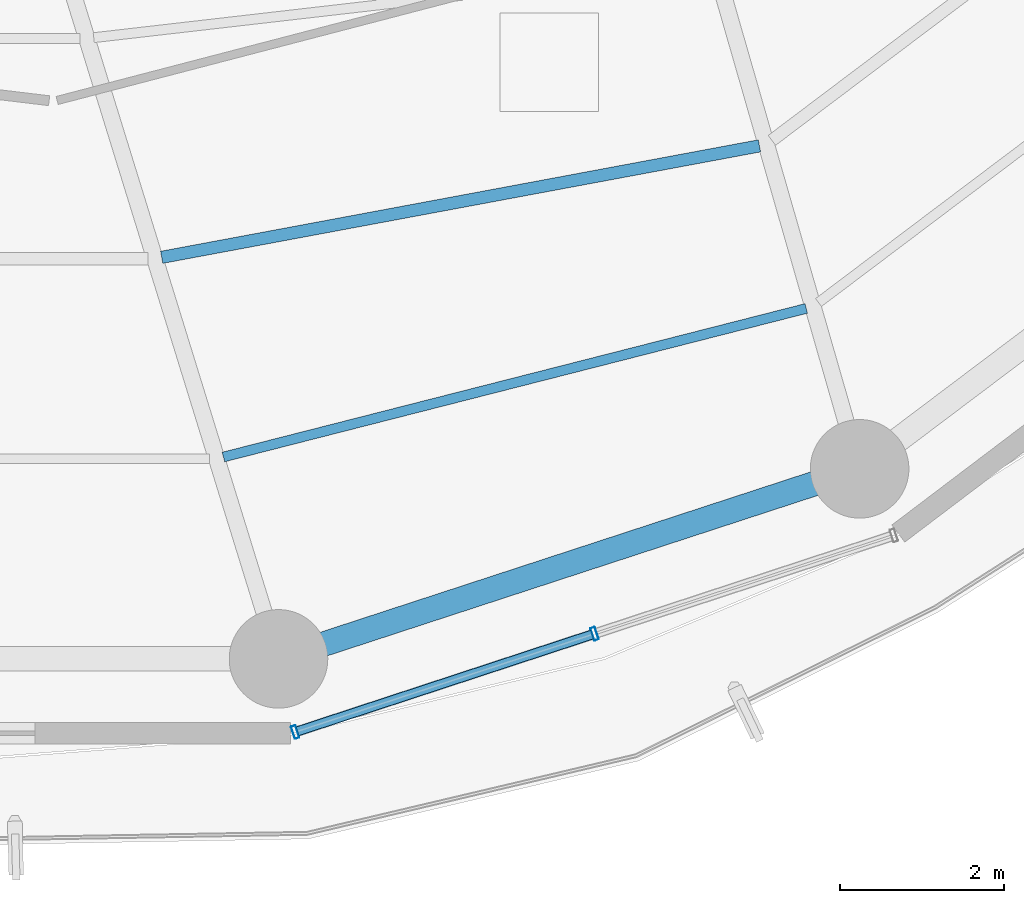
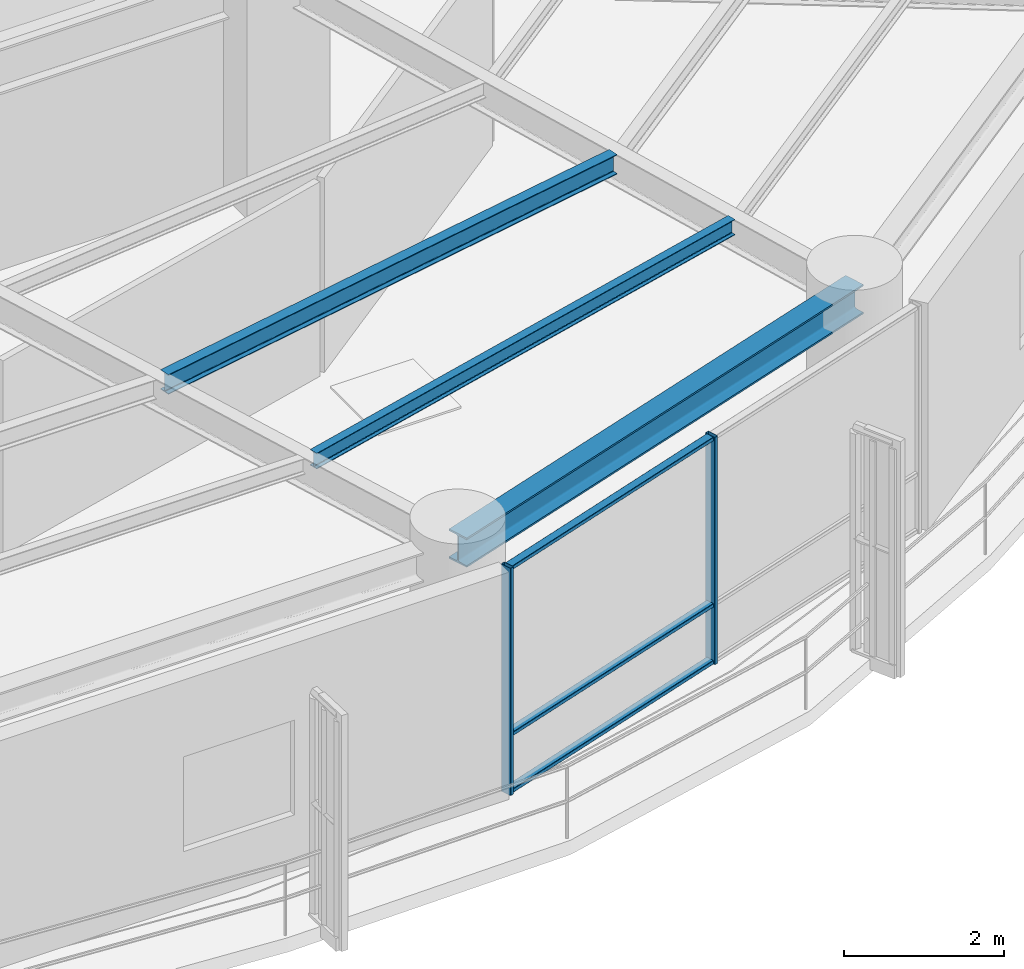
# One storey, part 4 of 27: 5 members, 3 beams, 1 element without a shape of its own.
"""IFC4 building model written with IfcOpenShell, lengths in metres."""

import ifcopenshell
import ifcopenshell.guid

model = None  # the IFC model being written
_history = None  # IfcOwnerHistory: only IFC2X3 demands one
_inside = {}  # id of a spatial element -> (the spatial element, [elements in it])
_under = {}  # id of a project, library or spatial element -> (it, [spatial elements below it])
_declared = {}  # id of a project -> (the project, [libraries it declares])
_typed = {}  # id of a type object -> (the type object, [elements of that type])
_made_of = {}  # id of a material, layer set ... -> (it, [elements and type objects made of it])


def new_model(schema):
    """Start an empty IFC model of exactly this schema.

    Asked for "IFC4X3", IfcOpenShell would pick the latest addendum, in which some entities
    have other attributes; the version numbers below select the first issue.
    IFC2X3 requires an IfcOwnerHistory on every rooted entity: one is made here for all.
    """
    global model, _history
    if schema == "IFC4X3":
        model = ifcopenshell.file(schema_version=(4, 3, 0, 0))
    else:
        model = ifcopenshell.file(schema=schema)
    _inside.clear()
    _under.clear()
    _declared.clear()
    _typed.clear()
    _made_of.clear()
    _history = None
    if model.schema == "IFC2X3":
        org = make("IfcOrganization", Name="unknown")
        user = make(
            "IfcPersonAndOrganization",
            ThePerson=make("IfcPerson", FamilyName="unknown"),
            TheOrganization=org,
        )
        app = make(
            "IfcApplication",
            ApplicationDeveloper=org,
            Version="unknown",
            ApplicationFullName="unknown",
            ApplicationIdentifier="unknown",
        )
        _history = make(
            "IfcOwnerHistory",
            OwningUser=user,
            OwningApplication=app,
            ChangeAction="ADDED",
            CreationDate=0,
        )
    return model


def make(cls, **values):
    """One entity of the class cls with the attributes given. An attribute that is None is left unset."""
    return model.create_entity(
        cls, **{name: value for name, value in values.items() if value is not None}
    )


def rooted(cls, **values):
    """An entity with a GlobalId (a new one), such as an element, a storey or a relation."""
    return make(cls, GlobalId=ifcopenshell.guid.new(), OwnerHistory=_history, **values)


def si_unit(unit_type, name, prefix=None):
    """IfcSIUnit, for example si_unit("LENGTHUNIT", "METRE", prefix="MILLI")."""
    return make("IfcSIUnit", UnitType=unit_type, Prefix=prefix, Name=name)


def assignment(units):
    """IfcUnitAssignment: the units of a project."""
    return None if units is None else make("IfcUnitAssignment", Units=units)


def point(xyz):
    """IfcCartesianPoint."""
    return None if xyz is None else make("IfcCartesianPoint", Coordinates=xyz)


def direction(xyz):
    """IfcDirection."""
    return None if xyz is None else make("IfcDirection", DirectionRatios=xyz)


def frame(location, z_axis=None, x_axis=None):
    """IfcAxis2Placement3D, a coordinate frame: its origin and axes. An axis left out is left unset."""
    return make(
        "IfcAxis2Placement3D",
        Location=point(location),
        Axis=direction(z_axis),
        RefDirection=direction(x_axis),
    )


def frame_2d(location, x_axis=None):
    """IfcAxis2Placement2D, a coordinate frame in the plane: its origin and x axis."""
    return make(
        "IfcAxis2Placement2D", Location=point(location), RefDirection=direction(x_axis)
    )


def origin():
    """The frame at (0, 0, 0) with its axes left unset."""
    return frame((0.0, 0.0, 0.0))


def origin_2d():
    """The frame at (0, 0) in the plane with its x axis left unset."""
    return frame_2d((0.0, 0.0))


def place(relative_to, where):
    """IfcLocalPlacement: puts the frame where relative to a parent placement (None: the world)."""
    return make(
        "IfcLocalPlacement", PlacementRelTo=relative_to, RelativePlacement=where
    )


def context(
    kind, dimensions, precision=None, world=None, true_north=None, identifier=None
):
    """IfcGeometricRepresentationContext, for example the 3D "Model" context."""
    return make(
        "IfcGeometricRepresentationContext",
        ContextIdentifier=identifier,
        ContextType=kind,
        CoordinateSpaceDimension=dimensions,
        Precision=precision,
        WorldCoordinateSystem=world,
        TrueNorth=true_north,
    )


def subcontext(parent, identifier, kind, view, scale=None):
    """IfcGeometricRepresentationSubContext, for example "Body" below "Model"."""
    return make(
        "IfcGeometricRepresentationSubContext",
        ContextIdentifier=identifier,
        ContextType=kind,
        ParentContext=parent,
        TargetScale=scale,
        TargetView=view,
    )


def project(units=None, contexts=None):
    """IfcProject with its units and contexts."""
    return rooted(
        "IfcProject",
        Name="project",
        RepresentationContexts=contexts,
        UnitsInContext=assignment(units),
    )


def spatial(cls, under=None, at=None, **own):
    """A site, building, storey or space (cls), placed at a placement, below another one or the project."""
    s = rooted(cls, ObjectPlacement=at, **own)
    if under is not None:
        _under.setdefault(under.id(), (under, []))[1].append(s)
    return s


def profile(cls, at=None, kind="AREA", **sizes):
    """A parametric profile (cls). Its sizes go by their IFC names, for example OverallWidth=200.0."""
    return make(cls, ProfileType=kind, Position=at, **sizes)


def hollow_rectangle(**sizes):
    """IfcRectangleHollowProfileDef."""
    return profile("IfcRectangleHollowProfileDef", **sizes)


def i_section(**sizes):
    """IfcIShapeProfileDef."""
    return profile("IfcIShapeProfileDef", **sizes)


def extrude(swept, where, along, depth):
    """IfcExtrudedAreaSolid: the profile swept, set in the frame where, extruded along a direction by depth."""
    return make(
        "IfcExtrudedAreaSolid",
        SweptArea=swept,
        Position=where,
        ExtrudedDirection=direction(along),
        Depth=depth,
    )


def shape(context_of_items, identifier, shape_type, items):
    """IfcShapeRepresentation: the items that make up one representation, for example the "Body"."""
    return make(
        "IfcShapeRepresentation",
        ContextOfItems=context_of_items,
        RepresentationIdentifier=identifier,
        RepresentationType=shape_type,
        Items=items,
    )


def material(Name=None, Category=None):
    """IfcMaterial."""
    return make("IfcMaterial", Name=Name, Category=Category)


def layer(
    of_material, thickness, ventilated=None, Name=None, Category=None, Priority=None
):
    """IfcMaterialLayer: one layer of a wall or slab, of a material (None: an air gap)."""
    return make(
        "IfcMaterialLayer",
        Material=of_material,
        LayerThickness=thickness,
        IsVentilated=ventilated,
        Name=Name,
        Category=Category,
        Priority=Priority,
    )


def layer_set(layers, Name=None):
    """IfcMaterialLayerSet."""
    return make("IfcMaterialLayerSet", MaterialLayers=layers, LayerSetName=Name)


def material_profile(
    of_material, cross_section, Name=None, Category=None, Priority=None
):
    """IfcMaterialProfile: a cross section and its material."""
    return make(
        "IfcMaterialProfile",
        Name=Name,
        Material=of_material,
        Profile=cross_section,
        Priority=Priority,
        Category=Category,
    )


def profile_set(profiles, Name=None, composite=None):
    """IfcMaterialProfileSet."""
    return make(
        "IfcMaterialProfileSet",
        Name=Name,
        MaterialProfiles=profiles,
        CompositeProfile=composite,
    )


def made_of(thing, what):
    """Note that an element or type object is made of a material, layer set ...; save() writes the relation."""
    if what is not None:
        _made_of.setdefault(what.id(), (what, []))[1].append(thing)
    return thing


def type_object(cls, material=None, **own):
    """A type object (cls), such as IfcWallType, which elements share."""
    return made_of(rooted(cls, **own), material)


def element(
    cls,
    number,
    at=None,
    inside=None,
    cuts=None,
    type_object=None,
    material=None,
    context=None,
    identifier="Body",
    shape_type=None,
    held_by="IfcProductDefinitionShape",
    body=None,
    shapes=None,
    **own,
):
    """One element of the class cls, such as IfcWall. Its Tag is "e" and its number.

    at: its placement. inside: the storey or other place that contains it. cuts: it is an
    opening in that element (IfcRelVoidsElement). A single representation is given by context,
    identifier, shape_type and body (its items); several are given by shapes. held_by: the class
    of the entity that holds the representations. save() writes the other relations.
    """
    e = rooted(cls, Tag="e%d" % number, ObjectPlacement=at, **own)
    if body is not None:
        shapes = [shape(context, identifier, shape_type, body)]
    if shapes is not None:
        e.Representation = make(held_by, Representations=shapes)
    if inside is not None:
        _inside.setdefault(inside.id(), (inside, []))[1].append(e)
    if cuts is not None:
        rooted(
            "IfcRelVoidsElement", RelatingBuildingElement=cuts, RelatedOpeningElement=e
        )
    if type_object is not None:
        _typed.setdefault(type_object.id(), (type_object, []))[1].append(e)
    return made_of(e, material)


def aggregate(whole, parts):
    """IfcRelAggregates: a whole, such as a stair, and the parts it consists of."""
    return rooted("IfcRelAggregates", RelatingObject=whole, RelatedObjects=parts)


def save(model, path):
    """Write the relations noted so far, then the file.

    IfcRelAggregates (storeys below a building ...), IfcRelContainedInSpatialStructure (elements
    in a storey), IfcRelDefinesByType, IfcRelAssociatesMaterial and IfcRelDeclares: one each for
    every whole, place, type object, material and project.
    """
    for whole, parts in _under.values():
        aggregate(whole, parts)
    for where, things in _inside.values():
        rooted(
            "IfcRelContainedInSpatialStructure",
            RelatedElements=things,
            RelatingStructure=where,
        )
    for kind, things in _typed.values():
        rooted("IfcRelDefinesByType", RelatedObjects=things, RelatingType=kind)
    for what, things in _made_of.values():
        rooted("IfcRelAssociatesMaterial", RelatedObjects=things, RelatingMaterial=what)
    for by, libraries in _declared.values():
        rooted("IfcRelDeclares", RelatingContext=by, RelatedDefinitions=libraries)
    model.write(path)


model = new_model("IFC4")

# Units and contexts
model_context = context("Model", 3, precision=1e-05, world=origin(), true_north=direction((0.0, 1.0)))
body_context = subcontext(model_context, "Body", "Model", "MODEL_VIEW")
ifc_project = project(units=[si_unit("LENGTHUNIT", "METRE"), si_unit("AREAUNIT", "SQUARE_METRE"), si_unit("VOLUMEUNIT", "CUBIC_METRE"), si_unit("PLANEANGLEUNIT", "RADIAN"), si_unit("MASSUNIT", "GRAM", prefix="KILO")], contexts=[model_context])

# Site, building, storey
site_placement = place(None, origin())
site = spatial("IfcSite", under=ifc_project, at=site_placement, CompositionType="ELEMENT")
building_placement = place(site_placement, origin())
building = spatial("IfcBuilding", under=site, at=building_placement, Name="Kelanora Arch Commons", CompositionType="ELEMENT")
storey_placement = place(building_placement, frame((0.0, 0.0, 150.60009765625)))
storey = spatial("IfcBuildingStorey", under=building, at=storey_placement, Name="L38", CompositionType="ELEMENT", Elevation=150.60009765625)

# Beams
ifc_material_1 = material(Name="Steel S355", Category="steel")
ifc_material_profile_1 = material_profile(ifc_material_1, i_section(OverallWidth=0.14990234375, OverallDepth=0.300048828125, WebThickness=0.007080078125, FlangeThickness=0.0107421875, FilletRadius=0.014892578125, at=origin_2d()), Name="IPE300")
ifc_profile_set_1 = profile_set([ifc_material_profile_1], Name="Steel S355")
beam_type_1 = type_object("IfcBeamType", Name="BM-JST-01", PredefinedType="JOIST", material=ifc_profile_set_1)
beam_1_placement = place(storey_placement, frame((76.34228515625, 43.705078125, 3.33984375), z_axis=(0.983054256126, 0.183314837134, 0.0), x_axis=(-0.183314837134, 0.983054256126, 0.0)))
element("IfcBeam", 1, at=beam_1_placement, inside=storey, type_object=beam_type_1, Name="Secondary Chord Joist BJB-28 L38", PredefinedType="JOIST", context=body_context, shape_type="SweptSolid", body=[
    extrude(i_section(OverallWidth=0.14990234375, OverallDepth=0.300048828125, WebThickness=0.007080078125, FlangeThickness=0.0107421875, FilletRadius=0.014892578125, at=origin_2d()), origin(), (0.0, 0.0, 1.0), 7.403564453125),
])
ifc_material_profile_2 = material_profile(ifc_material_1, i_section(OverallWidth=0.1201171875, OverallDepth=0.239990234375, WebThickness=0.006103515625, FlangeThickness=0.009765625, FilletRadius=0.014892578125, at=origin_2d()), Name="IPE240")
ifc_profile_set_2 = profile_set([ifc_material_profile_2], Name="Steel S355")
beam_type_2 = type_object("IfcBeamType", Name="BM-JST-02", PredefinedType="JOIST", material=ifc_profile_set_2)
beam_2_placement = place(storey_placement, frame((77.093994140625, 41.273681640625, 3.369873046875), z_axis=(0.96900232943, 0.247051584815, 0.0), x_axis=(-0.247051584815, 0.96900232943, 0.0)))
element("IfcBeam", 2, at=beam_2_placement, inside=storey, type_object=beam_type_2, Name="Secondary Chord Joist BJC-28 L38", PredefinedType="JOIST", context=body_context, shape_type="SweptSolid", body=[
    extrude(i_section(OverallWidth=0.1201171875, OverallDepth=0.239990234375, WebThickness=0.006103515625, FlangeThickness=0.009765625, FilletRadius=0.014892578125, at=origin_2d()), origin(), (0.0, 0.0, 1.0), 7.32275390625),
])
ifc_material_profile_3 = material_profile(ifc_material_1, i_section(OverallWidth=0.300048828125, OverallDepth=0.449951171875, WebThickness=0.013916015625, FlangeThickness=0.02587890625, FilletRadius=0.027099609375, at=origin_2d()), Name="HEB450")
ifc_profile_set_3 = profile_set([ifc_material_profile_3], Name="Steel S355")
beam_type_3 = type_object("IfcBeamType", Name="BM-SPN-Z3", PredefinedType="SPANDREL", material=ifc_profile_set_3)
beam_3_placement = place(storey_placement, frame((77.7646484375, 38.81591796875, 3.264892578125), z_axis=(0.950461975786, 0.310840847676, 0.0), x_axis=(-0.310840847676, 0.950461975786, 0.0)))
element("IfcBeam", 3, at=beam_3_placement, inside=storey, type_object=beam_type_3, Name="Perimeter Spandrel Beam BS-28 L38", PredefinedType="SPANDREL", context=body_context, shape_type="SweptSolid", body=[
    extrude(i_section(OverallWidth=0.300048828125, OverallDepth=0.449951171875, WebThickness=0.013916015625, FlangeThickness=0.02587890625, FilletRadius=0.027099609375, at=origin_2d()), origin(), (0.0, 0.0, 1.0), 7.444091796875),
])

# Curtain wall, members
ifc_material_2 = material(Name="Terracotta ceramic-fritted low-E glass and aluminium", Category="masonry")
ifc_layer = layer(ifc_material_2, 0.175048828125)
ifc_layer_set = layer_set([ifc_layer], Name="Terracotta ceramic-fritted low-E glass and aluminium")
curtain_wall_type = type_object("IfcCurtainWallType", Name="CW-SYS-02", PredefinedType="NOTDEFINED", material=ifc_layer_set)
curtain_wall_placement = place(storey_placement, origin())
curtain_wall = element("IfcCurtainWall", 4, at=curtain_wall_placement, inside=storey, type_object=curtain_wall_type, Name="Unitised Curtain Wall L38-B14", PredefinedType="NOTDEFINED")
ifc_material_3 = material(Name="Powder-coated aluminium terracotta", Category="masonry")
ifc_material_profile_4 = material_profile(ifc_material_3, hollow_rectangle(XDim=0.159912109375, YDim=0.06005859375, WallThickness=0.0048828125, InnerFilletRadius=0.0048828125, OuterFilletRadius=0.010009765625, at=origin_2d()), Name="CWM160x60")
ifc_profile_set_4 = profile_set([ifc_material_profile_4], Name="Powder-coated aluminium terracotta")
member_type_1 = type_object("IfcMemberType", Name="CWM-STD", PredefinedType="MULLION", material=ifc_profile_set_4)
member_1_placement = place(storey_placement, frame((77.96728515625, 37.924072265625, 0.0), z_axis=(0.0, 0.0, 1.0), x_axis=(-0.312128279571, 0.95003996605, 0.0)))
member_1 = element("IfcMember", 5, at=member_1_placement, type_object=member_type_1, Name="CW-02 mullion 1", PredefinedType="MULLION", context=body_context, shape_type="SweptSolid", body=[
    extrude(hollow_rectangle(XDim=0.159912109375, YDim=0.06005859375, WallThickness=0.0048828125, InnerFilletRadius=0.0048828125, OuterFilletRadius=0.010009765625, at=origin_2d()), origin(), (0.0, 0.0, 1.0), 3.474853515625),
])
member_2_placement = place(storey_placement, frame((81.6123046875, 39.12158203125, 0.0), z_axis=(0.0, 0.0, 1.0), x_axis=(-0.312128279571, 0.95003996605, 0.0)))
member_2 = element("IfcMember", 6, at=member_2_placement, type_object=member_type_1, Name="CW-02 mullion 2", PredefinedType="MULLION", context=body_context, shape_type="SweptSolid", body=[
    extrude(hollow_rectangle(XDim=0.159912109375, YDim=0.06005859375, WallThickness=0.0048828125, InnerFilletRadius=0.0048828125, OuterFilletRadius=0.010009765625, at=origin_2d()), origin(), (0.0, 0.0, 1.0), 3.474853515625),
])
ifc_material_profile_5 = material_profile(ifc_material_3, hollow_rectangle(XDim=0.1201171875, YDim=0.06005859375, WallThickness=0.0048828125, InnerFilletRadius=0.0048828125, OuterFilletRadius=0.010009765625, at=origin_2d()), Name="CWT120x60")
ifc_profile_set_5 = profile_set([ifc_material_profile_5], Name="Powder-coated aluminium terracotta")
member_type_2 = type_object("IfcMemberType", Name="CWT-STD", PredefinedType="USERDEFINED", material=ifc_profile_set_5)
member_3_placement = place(storey_placement, frame((77.99560546875, 37.933349609375, 0.02978515625), z_axis=(0.950051191155, 0.312094111104, 0.0), x_axis=(-0.312094111104, 0.950051191155, 0.0)))
member_3 = element("IfcMember", 7, at=member_3_placement, type_object=member_type_2, Name="CW-02 transom 1.1", ObjectType="TRANSOM", PredefinedType="USERDEFINED", context=body_context, shape_type="SweptSolid", body=[
    extrude(hollow_rectangle(XDim=0.1201171875, YDim=0.06005859375, WallThickness=0.0048828125, InnerFilletRadius=0.0048828125, OuterFilletRadius=0.010009765625, at=origin_2d()), origin(), (0.0, 0.0, 1.0), 3.77685546875),
])
member_4_placement = place(storey_placement, frame((77.99560546875, 37.933349609375, 0.89990234375), z_axis=(0.950051191155, 0.312094111104, 0.0), x_axis=(-0.312094111104, 0.950051191155, 0.0)))
member_4 = element("IfcMember", 8, at=member_4_placement, type_object=member_type_2, Name="CW-02 transom 1.2", ObjectType="TRANSOM", PredefinedType="USERDEFINED", context=body_context, shape_type="SweptSolid", body=[
    extrude(hollow_rectangle(XDim=0.1201171875, YDim=0.06005859375, WallThickness=0.0048828125, InnerFilletRadius=0.0048828125, OuterFilletRadius=0.010009765625, at=origin_2d()), origin(), (0.0, 0.0, 1.0), 3.77685546875),
])
member_5_placement = place(storey_placement, frame((77.99560546875, 37.933349609375, 3.44482421875), z_axis=(0.950051191155, 0.312094111104, 0.0), x_axis=(-0.312094111104, 0.950051191155, 0.0)))
member_5 = element("IfcMember", 9, at=member_5_placement, type_object=member_type_2, Name="CW-02 transom 1.3", ObjectType="TRANSOM", PredefinedType="USERDEFINED", context=body_context, shape_type="SweptSolid", body=[
    extrude(hollow_rectangle(XDim=0.1201171875, YDim=0.06005859375, WallThickness=0.0048828125, InnerFilletRadius=0.0048828125, OuterFilletRadius=0.010009765625, at=origin_2d()), origin(), (0.0, 0.0, 1.0), 3.77685546875),
])
aggregate(curtain_wall, [member_1, member_2, member_3, member_4, member_5])

save(model, "model.ifc")
